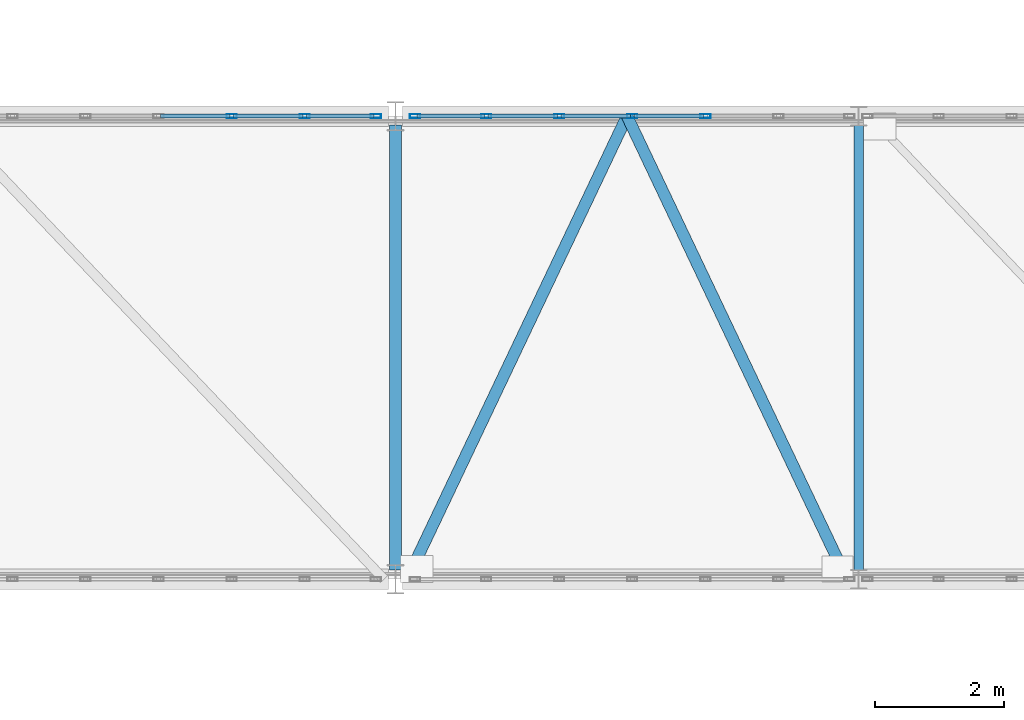
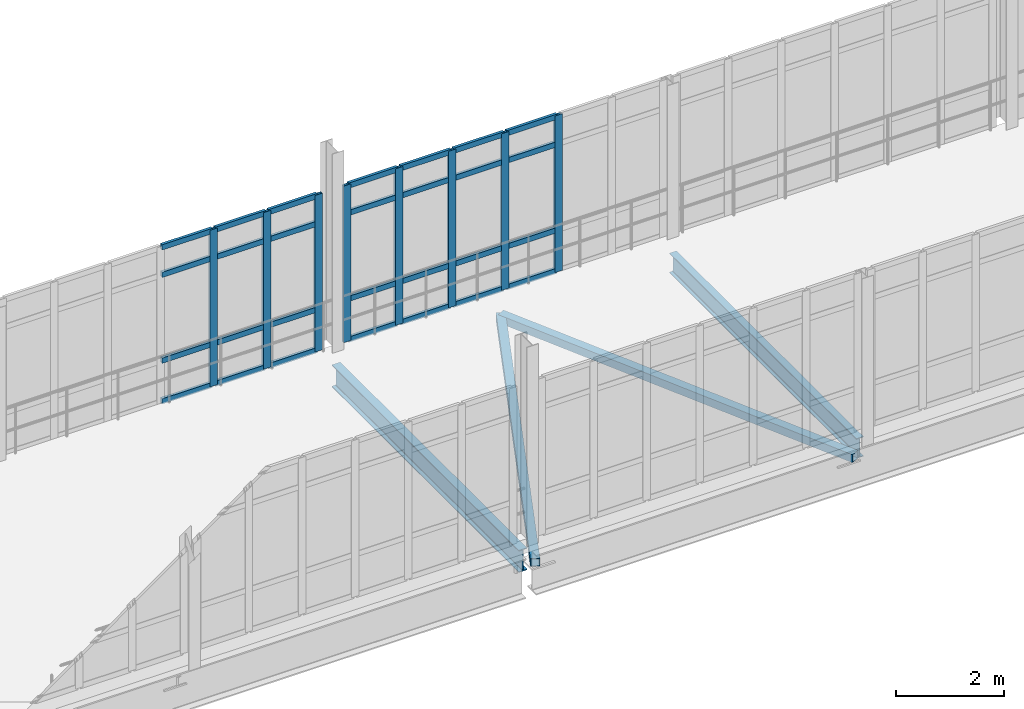
# One storey, part 25 of 124: 38 members, 2 beams, 2 elements without a shape of their own.
"""IFC4 building model written with IfcOpenShell, lengths in metres."""

from ifc_helpers import new_model, si_unit, direction, frame, origin, origin_2d, place, context, subcontext, project, spatial, hollow_rectangle, i_section, extrude, material, material_profile, profile_set, type_object, element, aggregate, save


model = new_model("IFC4")

# Units and contexts
model_context = context("Model", 3, precision=1e-05, world=origin(), true_north=direction((0.0, 1.0)))
body_context = subcontext(model_context, "Body", "Model", "MODEL_VIEW")
ifc_project = project(units=[si_unit("LENGTHUNIT", "METRE"), si_unit("AREAUNIT", "SQUARE_METRE"), si_unit("VOLUMEUNIT", "CUBIC_METRE"), si_unit("PLANEANGLEUNIT", "RADIAN"), si_unit("MASSUNIT", "GRAM", prefix="KILO")], contexts=[model_context])

# Site, building, storey
site_placement = place(None, origin())
site = spatial("IfcSite", under=ifc_project, at=site_placement, CompositionType="ELEMENT")
building_placement = place(site_placement, origin())
building = spatial("IfcBuilding", under=site, at=building_placement, Name="Kalluvel Institute of Natural Sciences", CompositionType="ELEMENT")
storey_placement = place(building_placement, frame((0.0, 0.0, 9.89990234375)))
storey = spatial("IfcBuildingStorey", under=building, at=storey_placement, Name="L02", CompositionType="ELEMENT", Elevation=9.89990234375)

# Beams
ifc_material_1 = material(Name="Steel E350 Grade 350", Category="steel")
ifc_material_profile_1 = material_profile(ifc_material_1, i_section(OverallWidth=0.14990234375, OverallDepth=0.449951171875, WebThickness=0.009521484375, FlangeThickness=0.017333984375, FilletRadius=0.014892578125, at=origin_2d()), Name="ISMB 450")
ifc_profile_set_1 = profile_set([ifc_material_profile_1], Name="Steel E350 Grade 350")
beam_type_1 = type_object("IfcBeamType", Name="BM-ISMB450", PredefinedType="BEAM", material=ifc_profile_set_1)
beam_1_placement = place(storey_placement, frame((71.60009765625, 28.5400390625, -0.544921875), z_axis=(0.0, 1.0, 0.0), x_axis=(-1.0, 0.0, 0.0)))
element("IfcBeam", 1, at=beam_1_placement, inside=storey, type_object=beam_type_1, Name="L02 link bridge cross girder 59", PredefinedType="BEAM", context=body_context, shape_type="SweptSolid", body=[
    extrude(i_section(OverallWidth=0.14990234375, OverallDepth=0.449951171875, WebThickness=0.009521484375, FlangeThickness=0.017333984375, FilletRadius=0.014892578125, at=origin_2d()), origin(), (0.0, 0.0, 1.0), 6.919921875),
])
ifc_material_profile_2 = material_profile(ifc_material_1, i_section(OverallWidth=0.179931640625, OverallDepth=0.5, WebThickness=0.01025390625, FlangeThickness=0.01708984375, FilletRadius=0.01708984375, at=origin_2d()), Name="ISMB 500")
ifc_profile_set_2 = profile_set([ifc_material_profile_2], Name="Steel E350 Grade 350")
beam_type_2 = type_object("IfcBeamType", Name="BM-ISMB500", PredefinedType="BEAM", material=ifc_profile_set_2)
beam_2_placement = place(storey_placement, frame((64.39990234375, 28.5400390625, -0.56982421875), z_axis=(0.0, 1.0, 0.0), x_axis=(-1.0, 0.0, 0.0)))
element("IfcBeam", 2, at=beam_2_placement, inside=storey, type_object=beam_type_2, Name="L02 link bridge cross girder 58", PredefinedType="BEAM", context=body_context, shape_type="SweptSolid", body=[
    extrude(i_section(OverallWidth=0.179931640625, OverallDepth=0.5, WebThickness=0.01025390625, FlangeThickness=0.01708984375, FilletRadius=0.01708984375, at=origin_2d()), origin(), (0.0, 0.0, 1.0), 6.919921875),
])

# Curtain wall, members
ifc_material_2 = material(Name="Aluminium AW-6063 T6", Category="aluminium")
curtain_wall_type = type_object("IfcCurtainWallType", Name="CW-BRG-45", PredefinedType="USERDEFINED", material=ifc_material_2)
curtain_wall_1_placement = place(storey_placement, origin())
curtain_wall_1 = element("IfcCurtainWall", 3, at=curtain_wall_1_placement, inside=storey, type_object=curtain_wall_type, Name="L02 Gothic lancet curtain wall CWA-L02-X573-Y356", ObjectType="UNITISED LANCET FACADE", PredefinedType="USERDEFINED")
ifc_material_profile_3 = material_profile(ifc_material_2, hollow_rectangle(XDim=0.06005859375, YDim=0.159912109375, WallThickness=0.00390625, at=origin_2d()), Name="CWM 60x160")
ifc_profile_set_3 = profile_set([ifc_material_profile_3], Name="Aluminium AW-6063 T6")
member_type_1 = type_object("IfcMemberType", Name="CWM-60x160", PredefinedType="MULLION", material=ifc_profile_set_3)
member_1_placement = place(storey_placement, frame((61.853271484375, 35.60009765625, 0.0), z_axis=(0.0, 0.0, 1.0), x_axis=(0.0, 1.0, 0.0)))
member_1 = element("IfcMember", 4, at=member_1_placement, type_object=member_type_1, Name="CW-07 mullion 5", PredefinedType="MULLION", context=body_context, shape_type="SweptSolid", body=[
    extrude(hollow_rectangle(XDim=0.06005859375, YDim=0.159912109375, WallThickness=0.00390625, at=origin_2d()), origin(), (0.0, 0.0, 1.0), 3.5400390625),
])
member_2_placement = place(storey_placement, frame((62.9892578125, 35.60009765625, 0.0), z_axis=(0.0, 0.0, 1.0), x_axis=(0.0, 1.0, 0.0)))
member_2 = element("IfcMember", 5, at=member_2_placement, type_object=member_type_1, Name="CW-07 mullion 6", PredefinedType="MULLION", context=body_context, shape_type="SweptSolid", body=[
    extrude(hollow_rectangle(XDim=0.06005859375, YDim=0.159912109375, WallThickness=0.00390625, at=origin_2d()), origin(), (0.0, 0.0, 1.0), 3.5400390625),
])
member_3_placement = place(storey_placement, frame((64.094970703125, 35.60009765625, 0.0), z_axis=(0.0, 0.0, 1.0), x_axis=(0.0, 1.0, 0.0)))
member_3 = element("IfcMember", 6, at=member_3_placement, type_object=member_type_1, Name="CW-07 mullion 7", PredefinedType="MULLION", context=body_context, shape_type="SweptSolid", body=[
    extrude(hollow_rectangle(XDim=0.06005859375, YDim=0.159912109375, WallThickness=0.00390625, at=origin_2d()), origin(), (0.0, 0.0, 1.0), 3.5400390625),
])

curtain_wall_2_placement = place(storey_placement, origin())
curtain_wall_2 = element("IfcCurtainWall", 7, at=curtain_wall_2_placement, inside=storey, type_object=curtain_wall_type, Name="L02 Gothic lancet curtain wall CWA-L02-X647-Y356", ObjectType="UNITISED LANCET FACADE", PredefinedType="USERDEFINED")
member_4_placement = place(storey_placement, frame((64.705078125, 35.60009765625, 0.0), z_axis=(0.0, 0.0, 1.0), x_axis=(0.0, 1.0, 0.0)))
member_4 = element("IfcMember", 8, at=member_4_placement, type_object=member_type_1, Name="CW-07 mullion 1", PredefinedType="MULLION", context=body_context, shape_type="SweptSolid", body=[
    extrude(hollow_rectangle(XDim=0.06005859375, YDim=0.159912109375, WallThickness=0.00390625, at=origin_2d()), origin(), (0.0, 0.0, 1.0), 3.5400390625),
])
member_5_placement = place(storey_placement, frame((65.810791015625, 35.60009765625, 0.0), z_axis=(0.0, 0.0, 1.0), x_axis=(0.0, 1.0, 0.0)))
member_5 = element("IfcMember", 9, at=member_5_placement, type_object=member_type_1, Name="CW-07 mullion 2", PredefinedType="MULLION", context=body_context, shape_type="SweptSolid", body=[
    extrude(hollow_rectangle(XDim=0.06005859375, YDim=0.159912109375, WallThickness=0.00390625, at=origin_2d()), origin(), (0.0, 0.0, 1.0), 3.5400390625),
])
member_6_placement = place(storey_placement, frame((66.94677734375, 35.60009765625, 0.0), z_axis=(0.0, 0.0, 1.0), x_axis=(0.0, 1.0, 0.0)))
member_6 = element("IfcMember", 10, at=member_6_placement, type_object=member_type_1, Name="CW-07 mullion 3", PredefinedType="MULLION", context=body_context, shape_type="SweptSolid", body=[
    extrude(hollow_rectangle(XDim=0.06005859375, YDim=0.159912109375, WallThickness=0.00390625, at=origin_2d()), origin(), (0.0, 0.0, 1.0), 3.5400390625),
])
member_7_placement = place(storey_placement, frame((68.08251953125, 35.60009765625, 0.0), z_axis=(0.0, 0.0, 1.0), x_axis=(0.0, 1.0, 0.0)))
member_7 = element("IfcMember", 11, at=member_7_placement, type_object=member_type_1, Name="CW-07 mullion 4", PredefinedType="MULLION", context=body_context, shape_type="SweptSolid", body=[
    extrude(hollow_rectangle(XDim=0.06005859375, YDim=0.159912109375, WallThickness=0.00390625, at=origin_2d()), origin(), (0.0, 0.0, 1.0), 3.5400390625),
])
member_8_placement = place(storey_placement, frame((69.21826171875, 35.60009765625, 0.0), z_axis=(0.0, 0.0, 1.0), x_axis=(0.0, 1.0, 0.0)))
member_8 = element("IfcMember", 12, at=member_8_placement, type_object=member_type_1, Name="CW-07 mullion 5", PredefinedType="MULLION", context=body_context, shape_type="SweptSolid", body=[
    extrude(hollow_rectangle(XDim=0.06005859375, YDim=0.159912109375, WallThickness=0.00390625, at=origin_2d()), origin(), (0.0, 0.0, 1.0), 3.5400390625),
])

# Member
ifc_material_profile_4 = material_profile(ifc_material_2, hollow_rectangle(XDim=0.06005859375, YDim=0.1201171875, WallThickness=0.00390625, at=origin_2d()), Name="CWT 60x120")
ifc_profile_set_4 = profile_set([ifc_material_profile_4], Name="Aluminium AW-6063 T6")
member_type_2 = type_object("IfcMemberType", Name="CWT-60x120", PredefinedType="USERDEFINED", material=ifc_profile_set_4)
member_9_placement = place(storey_placement, frame((60.74755859375, 35.60009765625, 0.030029296875), z_axis=(1.0, 0.0, 0.0), x_axis=(0.0, 1.0, 0.0)))
member_9 = element("IfcMember", 13, at=member_9_placement, type_object=member_type_2, Name="CW-07 transom 4.1", ObjectType="TRANSOM", PredefinedType="USERDEFINED", context=body_context, shape_type="SweptSolid", body=[
    extrude(hollow_rectangle(XDim=0.06005859375, YDim=0.1201171875, WallThickness=0.00390625, at=origin_2d()), origin(), (0.0, 0.0, 1.0), 1.07568359375),
])

member_10_placement = place(storey_placement, frame((60.74755859375, 35.60009765625, 0.9501953125), z_axis=(1.0, 0.0, 0.0), x_axis=(0.0, 1.0, 0.0)))
member_10 = element("IfcMember", 14, at=member_10_placement, type_object=member_type_2, Name="CW-07 transom 4.2", ObjectType="TRANSOM", PredefinedType="USERDEFINED", context=body_context, shape_type="SweptSolid", body=[
    extrude(hollow_rectangle(XDim=0.06005859375, YDim=0.1201171875, WallThickness=0.00390625, at=origin_2d()), origin(), (0.0, 0.0, 1.0), 1.07568359375),
])

member_11_placement = place(storey_placement, frame((60.74755859375, 35.60009765625, 2.89013671875), z_axis=(1.0, 0.0, 0.0), x_axis=(0.0, 1.0, 0.0)))
member_11 = element("IfcMember", 15, at=member_11_placement, type_object=member_type_2, Name="CW-07 transom 4.3", ObjectType="TRANSOM", PredefinedType="USERDEFINED", context=body_context, shape_type="SweptSolid", body=[
    extrude(hollow_rectangle(XDim=0.06005859375, YDim=0.1201171875, WallThickness=0.00390625, at=origin_2d()), origin(), (0.0, 0.0, 1.0), 1.07568359375),
])

member_12_placement = place(storey_placement, frame((60.74755859375, 35.60009765625, 3.510009765625), z_axis=(1.0, 0.0, 0.0), x_axis=(0.0, 1.0, 0.0)))
member_12 = element("IfcMember", 16, at=member_12_placement, type_object=member_type_2, Name="CW-07 transom 4.4", ObjectType="TRANSOM", PredefinedType="USERDEFINED", context=body_context, shape_type="SweptSolid", body=[
    extrude(hollow_rectangle(XDim=0.06005859375, YDim=0.1201171875, WallThickness=0.00390625, at=origin_2d()), origin(), (0.0, 0.0, 1.0), 1.07568359375),
])

member_13_placement = place(storey_placement, frame((61.88330078125, 35.60009765625, 0.030029296875), z_axis=(1.0, 0.0, 0.0), x_axis=(0.0, 1.0, 0.0)))
member_13 = element("IfcMember", 17, at=member_13_placement, type_object=member_type_2, Name="CW-07 transom 5.1", ObjectType="TRANSOM", PredefinedType="USERDEFINED", context=body_context, shape_type="SweptSolid", body=[
    extrude(hollow_rectangle(XDim=0.06005859375, YDim=0.1201171875, WallThickness=0.00390625, at=origin_2d()), origin(), (0.0, 0.0, 1.0), 1.075927734375),
])

member_14_placement = place(storey_placement, frame((61.88330078125, 35.60009765625, 0.9501953125), z_axis=(1.0, 0.0, 0.0), x_axis=(0.0, 1.0, 0.0)))
member_14 = element("IfcMember", 18, at=member_14_placement, type_object=member_type_2, Name="CW-07 transom 5.2", ObjectType="TRANSOM", PredefinedType="USERDEFINED", context=body_context, shape_type="SweptSolid", body=[
    extrude(hollow_rectangle(XDim=0.06005859375, YDim=0.1201171875, WallThickness=0.00390625, at=origin_2d()), origin(), (0.0, 0.0, 1.0), 1.075927734375),
])

member_15_placement = place(storey_placement, frame((61.88330078125, 35.60009765625, 2.89013671875), z_axis=(1.0, 0.0, 0.0), x_axis=(0.0, 1.0, 0.0)))
member_15 = element("IfcMember", 19, at=member_15_placement, type_object=member_type_2, Name="CW-07 transom 5.3", ObjectType="TRANSOM", PredefinedType="USERDEFINED", context=body_context, shape_type="SweptSolid", body=[
    extrude(hollow_rectangle(XDim=0.06005859375, YDim=0.1201171875, WallThickness=0.00390625, at=origin_2d()), origin(), (0.0, 0.0, 1.0), 1.075927734375),
])

member_16_placement = place(storey_placement, frame((61.88330078125, 35.60009765625, 3.510009765625), z_axis=(1.0, 0.0, 0.0), x_axis=(0.0, 1.0, 0.0)))
member_16 = element("IfcMember", 20, at=member_16_placement, type_object=member_type_2, Name="CW-07 transom 5.4", ObjectType="TRANSOM", PredefinedType="USERDEFINED", context=body_context, shape_type="SweptSolid", body=[
    extrude(hollow_rectangle(XDim=0.06005859375, YDim=0.1201171875, WallThickness=0.00390625, at=origin_2d()), origin(), (0.0, 0.0, 1.0), 1.075927734375),
])

member_17_placement = place(storey_placement, frame((63.019287109375, 35.60009765625, 0.030029296875), z_axis=(1.0, 0.0, 0.0), x_axis=(0.0, 1.0, 0.0)))
member_17 = element("IfcMember", 21, at=member_17_placement, type_object=member_type_2, Name="CW-07 transom 6.1", ObjectType="TRANSOM", PredefinedType="USERDEFINED", context=body_context, shape_type="SweptSolid", body=[
    extrude(hollow_rectangle(XDim=0.06005859375, YDim=0.1201171875, WallThickness=0.00390625, at=origin_2d()), origin(), (0.0, 0.0, 1.0), 1.045654296875),
])

member_18_placement = place(storey_placement, frame((63.019287109375, 35.60009765625, 0.9501953125), z_axis=(1.0, 0.0, 0.0), x_axis=(0.0, 1.0, 0.0)))
member_18 = element("IfcMember", 22, at=member_18_placement, type_object=member_type_2, Name="CW-07 transom 6.2", ObjectType="TRANSOM", PredefinedType="USERDEFINED", context=body_context, shape_type="SweptSolid", body=[
    extrude(hollow_rectangle(XDim=0.06005859375, YDim=0.1201171875, WallThickness=0.00390625, at=origin_2d()), origin(), (0.0, 0.0, 1.0), 1.045654296875),
])

member_19_placement = place(storey_placement, frame((63.019287109375, 35.60009765625, 2.89013671875), z_axis=(1.0, 0.0, 0.0), x_axis=(0.0, 1.0, 0.0)))
member_19 = element("IfcMember", 23, at=member_19_placement, type_object=member_type_2, Name="CW-07 transom 6.3", ObjectType="TRANSOM", PredefinedType="USERDEFINED", context=body_context, shape_type="SweptSolid", body=[
    extrude(hollow_rectangle(XDim=0.06005859375, YDim=0.1201171875, WallThickness=0.00390625, at=origin_2d()), origin(), (0.0, 0.0, 1.0), 1.045654296875),
])

member_20_placement = place(storey_placement, frame((63.019287109375, 35.60009765625, 3.510009765625), z_axis=(1.0, 0.0, 0.0), x_axis=(0.0, 1.0, 0.0)))
member_20 = element("IfcMember", 24, at=member_20_placement, type_object=member_type_2, Name="CW-07 transom 6.4", ObjectType="TRANSOM", PredefinedType="USERDEFINED", context=body_context, shape_type="SweptSolid", body=[
    extrude(hollow_rectangle(XDim=0.06005859375, YDim=0.1201171875, WallThickness=0.00390625, at=origin_2d()), origin(), (0.0, 0.0, 1.0), 1.045654296875),
])

aggregate(curtain_wall_1, [member_1, member_2, member_3, member_9, member_10, member_11, member_12, member_13, member_14, member_15, member_16, member_17, member_18, member_19, member_20])

member_21_placement = place(storey_placement, frame((64.735107421875, 35.60009765625, 0.030029296875), z_axis=(1.0, 0.0, 0.0), x_axis=(0.0, 1.0, 0.0)))
member_21 = element("IfcMember", 25, at=member_21_placement, type_object=member_type_2, Name="CW-07 transom 1.1", ObjectType="TRANSOM", PredefinedType="USERDEFINED", context=body_context, shape_type="SweptSolid", body=[
    extrude(hollow_rectangle(XDim=0.06005859375, YDim=0.1201171875, WallThickness=0.00390625, at=origin_2d()), origin(), (0.0, 0.0, 1.0), 1.045654296875),
])

member_22_placement = place(storey_placement, frame((64.735107421875, 35.60009765625, 0.9501953125), z_axis=(1.0, 0.0, 0.0), x_axis=(0.0, 1.0, 0.0)))
member_22 = element("IfcMember", 26, at=member_22_placement, type_object=member_type_2, Name="CW-07 transom 1.2", ObjectType="TRANSOM", PredefinedType="USERDEFINED", context=body_context, shape_type="SweptSolid", body=[
    extrude(hollow_rectangle(XDim=0.06005859375, YDim=0.1201171875, WallThickness=0.00390625, at=origin_2d()), origin(), (0.0, 0.0, 1.0), 1.045654296875),
])

member_23_placement = place(storey_placement, frame((64.735107421875, 35.60009765625, 2.89013671875), z_axis=(1.0, 0.0, 0.0), x_axis=(0.0, 1.0, 0.0)))
member_23 = element("IfcMember", 27, at=member_23_placement, type_object=member_type_2, Name="CW-07 transom 1.3", ObjectType="TRANSOM", PredefinedType="USERDEFINED", context=body_context, shape_type="SweptSolid", body=[
    extrude(hollow_rectangle(XDim=0.06005859375, YDim=0.1201171875, WallThickness=0.00390625, at=origin_2d()), origin(), (0.0, 0.0, 1.0), 1.045654296875),
])

member_24_placement = place(storey_placement, frame((64.735107421875, 35.60009765625, 3.510009765625), z_axis=(1.0, 0.0, 0.0), x_axis=(0.0, 1.0, 0.0)))
member_24 = element("IfcMember", 28, at=member_24_placement, type_object=member_type_2, Name="CW-07 transom 1.4", ObjectType="TRANSOM", PredefinedType="USERDEFINED", context=body_context, shape_type="SweptSolid", body=[
    extrude(hollow_rectangle(XDim=0.06005859375, YDim=0.1201171875, WallThickness=0.00390625, at=origin_2d()), origin(), (0.0, 0.0, 1.0), 1.045654296875),
])

member_25_placement = place(storey_placement, frame((65.8408203125, 35.60009765625, 0.030029296875), z_axis=(1.0, 0.0, 0.0), x_axis=(0.0, 1.0, 0.0)))
member_25 = element("IfcMember", 29, at=member_25_placement, type_object=member_type_2, Name="CW-07 transom 2.1", ObjectType="TRANSOM", PredefinedType="USERDEFINED", context=body_context, shape_type="SweptSolid", body=[
    extrude(hollow_rectangle(XDim=0.06005859375, YDim=0.1201171875, WallThickness=0.00390625, at=origin_2d()), origin(), (0.0, 0.0, 1.0), 1.075927734375),
])

member_26_placement = place(storey_placement, frame((65.8408203125, 35.60009765625, 0.9501953125), z_axis=(1.0, 0.0, 0.0), x_axis=(0.0, 1.0, 0.0)))
member_26 = element("IfcMember", 30, at=member_26_placement, type_object=member_type_2, Name="CW-07 transom 2.2", ObjectType="TRANSOM", PredefinedType="USERDEFINED", context=body_context, shape_type="SweptSolid", body=[
    extrude(hollow_rectangle(XDim=0.06005859375, YDim=0.1201171875, WallThickness=0.00390625, at=origin_2d()), origin(), (0.0, 0.0, 1.0), 1.075927734375),
])

member_27_placement = place(storey_placement, frame((65.8408203125, 35.60009765625, 2.89013671875), z_axis=(1.0, 0.0, 0.0), x_axis=(0.0, 1.0, 0.0)))
member_27 = element("IfcMember", 31, at=member_27_placement, type_object=member_type_2, Name="CW-07 transom 2.3", ObjectType="TRANSOM", PredefinedType="USERDEFINED", context=body_context, shape_type="SweptSolid", body=[
    extrude(hollow_rectangle(XDim=0.06005859375, YDim=0.1201171875, WallThickness=0.00390625, at=origin_2d()), origin(), (0.0, 0.0, 1.0), 1.075927734375),
])

member_28_placement = place(storey_placement, frame((65.8408203125, 35.60009765625, 3.510009765625), z_axis=(1.0, 0.0, 0.0), x_axis=(0.0, 1.0, 0.0)))
member_28 = element("IfcMember", 32, at=member_28_placement, type_object=member_type_2, Name="CW-07 transom 2.4", ObjectType="TRANSOM", PredefinedType="USERDEFINED", context=body_context, shape_type="SweptSolid", body=[
    extrude(hollow_rectangle(XDim=0.06005859375, YDim=0.1201171875, WallThickness=0.00390625, at=origin_2d()), origin(), (0.0, 0.0, 1.0), 1.075927734375),
])

member_29_placement = place(storey_placement, frame((66.9765625, 35.60009765625, 0.030029296875), z_axis=(1.0, 0.0, 0.0), x_axis=(0.0, 1.0, 0.0)))
member_29 = element("IfcMember", 33, at=member_29_placement, type_object=member_type_2, Name="CW-07 transom 3.1", ObjectType="TRANSOM", PredefinedType="USERDEFINED", context=body_context, shape_type="SweptSolid", body=[
    extrude(hollow_rectangle(XDim=0.06005859375, YDim=0.1201171875, WallThickness=0.00390625, at=origin_2d()), origin(), (0.0, 0.0, 1.0), 1.075927734375),
])

member_30_placement = place(storey_placement, frame((66.9765625, 35.60009765625, 0.9501953125), z_axis=(1.0, 0.0, 0.0), x_axis=(0.0, 1.0, 0.0)))
member_30 = element("IfcMember", 34, at=member_30_placement, type_object=member_type_2, Name="CW-07 transom 3.2", ObjectType="TRANSOM", PredefinedType="USERDEFINED", context=body_context, shape_type="SweptSolid", body=[
    extrude(hollow_rectangle(XDim=0.06005859375, YDim=0.1201171875, WallThickness=0.00390625, at=origin_2d()), origin(), (0.0, 0.0, 1.0), 1.075927734375),
])

member_31_placement = place(storey_placement, frame((66.9765625, 35.60009765625, 2.89013671875), z_axis=(1.0, 0.0, 0.0), x_axis=(0.0, 1.0, 0.0)))
member_31 = element("IfcMember", 35, at=member_31_placement, type_object=member_type_2, Name="CW-07 transom 3.3", ObjectType="TRANSOM", PredefinedType="USERDEFINED", context=body_context, shape_type="SweptSolid", body=[
    extrude(hollow_rectangle(XDim=0.06005859375, YDim=0.1201171875, WallThickness=0.00390625, at=origin_2d()), origin(), (0.0, 0.0, 1.0), 1.075927734375),
])

member_32_placement = place(storey_placement, frame((66.9765625, 35.60009765625, 3.510009765625), z_axis=(1.0, 0.0, 0.0), x_axis=(0.0, 1.0, 0.0)))
member_32 = element("IfcMember", 36, at=member_32_placement, type_object=member_type_2, Name="CW-07 transom 3.4", ObjectType="TRANSOM", PredefinedType="USERDEFINED", context=body_context, shape_type="SweptSolid", body=[
    extrude(hollow_rectangle(XDim=0.06005859375, YDim=0.1201171875, WallThickness=0.00390625, at=origin_2d()), origin(), (0.0, 0.0, 1.0), 1.075927734375),
])

member_33_placement = place(storey_placement, frame((68.112548828125, 35.60009765625, 0.030029296875), z_axis=(1.0, 0.0, 0.0), x_axis=(0.0, 1.0, 0.0)))
member_33 = element("IfcMember", 37, at=member_33_placement, type_object=member_type_2, Name="CW-07 transom 4.1", ObjectType="TRANSOM", PredefinedType="USERDEFINED", context=body_context, shape_type="SweptSolid", body=[
    extrude(hollow_rectangle(XDim=0.06005859375, YDim=0.1201171875, WallThickness=0.00390625, at=origin_2d()), origin(), (0.0, 0.0, 1.0), 1.07568359375),
])

member_34_placement = place(storey_placement, frame((68.112548828125, 35.60009765625, 0.9501953125), z_axis=(1.0, 0.0, 0.0), x_axis=(0.0, 1.0, 0.0)))
member_34 = element("IfcMember", 38, at=member_34_placement, type_object=member_type_2, Name="CW-07 transom 4.2", ObjectType="TRANSOM", PredefinedType="USERDEFINED", context=body_context, shape_type="SweptSolid", body=[
    extrude(hollow_rectangle(XDim=0.06005859375, YDim=0.1201171875, WallThickness=0.00390625, at=origin_2d()), origin(), (0.0, 0.0, 1.0), 1.07568359375),
])

member_35_placement = place(storey_placement, frame((68.112548828125, 35.60009765625, 2.89013671875), z_axis=(1.0, 0.0, 0.0), x_axis=(0.0, 1.0, 0.0)))
member_35 = element("IfcMember", 39, at=member_35_placement, type_object=member_type_2, Name="CW-07 transom 4.3", ObjectType="TRANSOM", PredefinedType="USERDEFINED", context=body_context, shape_type="SweptSolid", body=[
    extrude(hollow_rectangle(XDim=0.06005859375, YDim=0.1201171875, WallThickness=0.00390625, at=origin_2d()), origin(), (0.0, 0.0, 1.0), 1.07568359375),
])

member_36_placement = place(storey_placement, frame((68.112548828125, 35.60009765625, 3.510009765625), z_axis=(1.0, 0.0, 0.0), x_axis=(0.0, 1.0, 0.0)))
member_36 = element("IfcMember", 40, at=member_36_placement, type_object=member_type_2, Name="CW-07 transom 4.4", ObjectType="TRANSOM", PredefinedType="USERDEFINED", context=body_context, shape_type="SweptSolid", body=[
    extrude(hollow_rectangle(XDim=0.06005859375, YDim=0.1201171875, WallThickness=0.00390625, at=origin_2d()), origin(), (0.0, 0.0, 1.0), 1.07568359375),
])

aggregate(curtain_wall_2, [member_4, member_5, member_6, member_7, member_8, member_21, member_22, member_23, member_24, member_25, member_26, member_27, member_28, member_29, member_30, member_31, member_32, member_33, member_34, member_35, member_36])

# Members
ifc_material_profile_5 = material_profile(ifc_material_1, hollow_rectangle(XDim=0.179931640625, YDim=0.179931640625, WallThickness=0.010009765625, at=origin_2d()), Name="SHS 180x180x10")
ifc_profile_set_5 = profile_set([ifc_material_profile_5], Name="Steel E350 Grade 350")
member_type_3 = type_object("IfcMemberType", Name="MB-BR-SHS180", PredefinedType="BRACE", material=ifc_profile_set_5)
for number, where, z_axis, x_axis, name in (
    (41, (64.580078125, 28.39990234375, -0.599853515625), (0.429039321605, 0.903285813304, 0.0), (-0.903285813304, 0.429039321605, 0.0), "L02 link bridge horizontal plan brace L02-05-1"),
    (42, (68.0, 35.60009765625, -0.599853515625), (0.429039321605, -0.903285813304, 0.0), (0.903285813304, 0.429039321605, 0.0), "L02 link bridge horizontal plan brace L02-05-2"),
):
    element("IfcMember", number, at=place(storey_placement, frame(where, z_axis=z_axis, x_axis=x_axis)), inside=storey, type_object=member_type_3, Name=name, PredefinedType="BRACE", context=body_context, shape_type="SweptSolid", body=[
        extrude(hollow_rectangle(XDim=0.179931640625, YDim=0.179931640625, WallThickness=0.010009765625, at=origin_2d()), origin(), (0.0, 0.0, 1.0), 7.97119140625),
    ])

save(model, "model.ifc")
